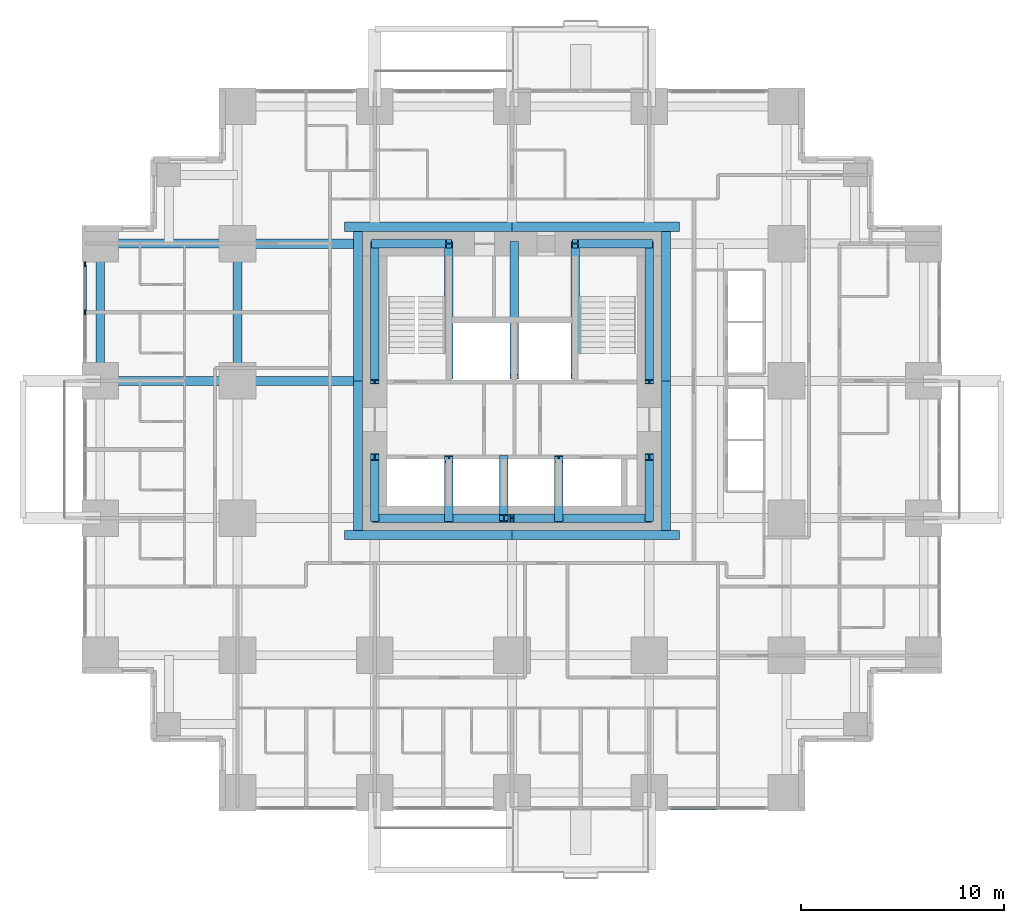
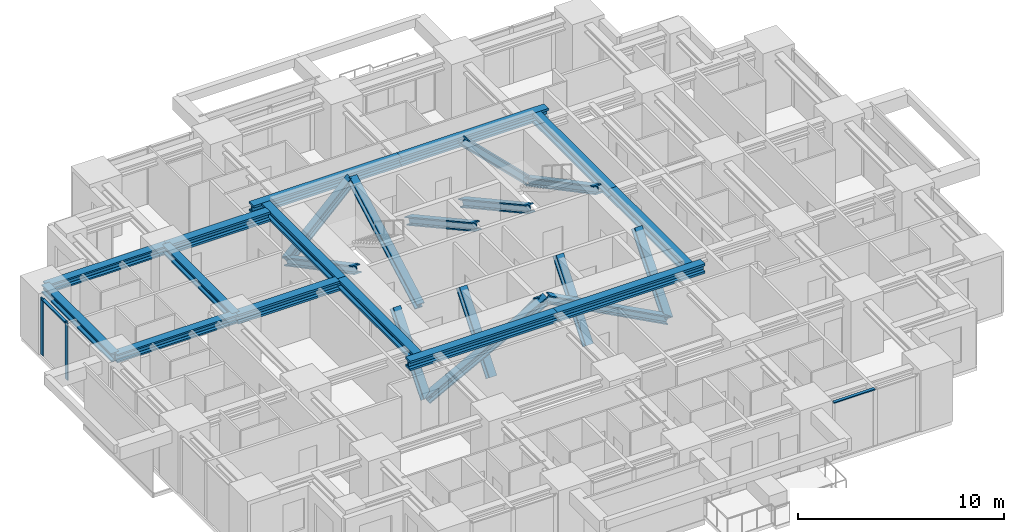
# One storey, part 3 of 13: 18 members, 14 beams, 2 elements without a shape of their own.
"""IFC4 building model written with IfcOpenShell, lengths in metres."""

from ifc_helpers import new_model, si_unit, direction, frame, origin, origin_2d, place, context, subcontext, project, spatial, rectangle, i_section, extrude, material, material_profile, profile_set, type_object, element, aggregate, save


model = new_model("IFC4")

# Units and contexts
model_context = context("Model", 3, precision=1e-05, world=origin(), true_north=direction((0.0, 1.0)))
body_context = subcontext(model_context, "Body", "Model", "MODEL_VIEW")
ifc_project = project(units=[si_unit("LENGTHUNIT", "METRE"), si_unit("AREAUNIT", "SQUARE_METRE"), si_unit("VOLUMEUNIT", "CUBIC_METRE"), si_unit("PLANEANGLEUNIT", "RADIAN"), si_unit("MASSUNIT", "GRAM", prefix="KILO")], contexts=[model_context])

# Site, building, storey
site_placement = place(None, origin())
site = spatial("IfcSite", under=ifc_project, at=site_placement, CompositionType="ELEMENT")
building_placement = place(site_placement, origin())
building = spatial("IfcBuilding", under=site, at=building_placement, Name="Nyansa Garden Tower", CompositionType="ELEMENT")
storey_placement = place(building_placement, frame((0.0, 0.0, 105.300048828125)))
storey = spatial("IfcBuildingStorey", under=building, at=storey_placement, Name="L28", CompositionType="ELEMENT", Elevation=105.300048828125)

# Curtain wall, members
ifc_material_1 = material(Name="Black anodised aluminium, dark tinted double glazing", Category="aluminium")
curtain_wall_type = type_object("IfcCurtainWallType", Name="Inner skin curtain wall ISW-B", PredefinedType="USERDEFINED", material=ifc_material_1)
curtain_wall_1_placement = place(storey_placement, origin())
curtain_wall_1 = element("IfcCurtainWall", 1, at=curtain_wall_1_placement, inside=storey, type_object=curtain_wall_type, Name="Inner skin curtain wall L28 W", ObjectType="UNITISED CURTAIN WALL", PredefinedType="USERDEFINED")
ifc_material_2 = material(Name="Black anodised aluminium", Category="aluminium")
ifc_material_profile_1 = material_profile(ifc_material_2, rectangle(XDim=0.06494140625, YDim=0.22509765625, at=origin_2d()), Name="Mullion 225x65")
ifc_profile_set_1 = profile_set([ifc_material_profile_1], Name="Black anodised aluminium")
member_type_1 = type_object("IfcMemberType", Name="Mullion ISW-B 225x65", PredefinedType="MULLION", material=ifc_profile_set_1)
member_1_placement = place(storey_placement, frame((-0.75, 25.987548828125, 0.0), z_axis=(0.0, 0.0, 1.0), x_axis=(1.0, 0.0, 0.0)))
member_1 = element("IfcMember", 2, at=member_1_placement, type_object=member_type_1, Name="ISW-B mullion 1", PredefinedType="MULLION", context=body_context, shape_type="SweptSolid", body=[
    extrude(rectangle(XDim=0.06494140625, YDim=0.22509765625, at=origin_2d()), origin(), (0.0, 0.0, 1.0), 3.375),
])
member_2_placement = place(storey_placement, frame((-0.75, 23.625, 0.0), z_axis=(0.0, 0.0, 1.0), x_axis=(1.0, 0.0, 0.0)))
member_2 = element("IfcMember", 3, at=member_2_placement, type_object=member_type_1, Name="ISW-B mullion 2", PredefinedType="MULLION", context=body_context, shape_type="SweptSolid", body=[
    extrude(rectangle(XDim=0.06494140625, YDim=0.22509765625, at=origin_2d()), origin(), (0.0, 0.0, 1.0), 3.375),
])

# Members
ifc_material_3 = material(Name="Steel S355", Category="steel")
ifc_material_profile_2 = material_profile(ifc_material_3, i_section(OverallWidth=0.41796875, OverallDepth=0.455078125, WebThickness=0.0419921875, FlangeThickness=0.067626953125, FilletRadius=0.014892578125, at=origin_2d()), Name="HD 400x463")
ifc_profile_set_2 = profile_set([ifc_material_profile_2], Name="Steel S355")
member_type_2 = type_object("IfcMemberType", Name="Perimeter brace HD 400x463", PredefinedType="BRACE", material=ifc_profile_set_2)
for number, where, z_axis, x_axis, name in (
    (4, (13.5, 13.5, 0.0), (0.882360891967, 0.0, 0.470573327259), (0.0, 1.0, 0.0), "Core brace CS1 L28"),
    (5, (27.0, 13.5, 0.0), (-0.882360891967, 0.0, 0.470573327259), (0.0, -1.0, 0.0), "Core brace CS2 L28"),
):
    element("IfcMember", number, at=place(storey_placement, frame(where, z_axis=z_axis, x_axis=x_axis)), inside=storey, type_object=member_type_2, Name=name, PredefinedType="BRACE", context=body_context, shape_type="SweptSolid", body=[
        extrude(i_section(OverallWidth=0.41796875, OverallDepth=0.455078125, WebThickness=0.0419921875, FlangeThickness=0.067626953125, FilletRadius=0.014892578125, at=origin_2d()), origin(), (0.0, 0.0, 1.0), 7.64990234375),
    ])
for number, where, z_axis, x_axis, name in (
    (6, (13.5, 27.0, 0.0), (0.711971340796, 0.0, 0.702208523079), (0.0, 1.0, 0.0), "Core brace CN3 L28"),
    (7, (27.0, 27.0, 0.0), (-0.711971340796, 0.0, 0.702208523079), (0.0, -1.0, 0.0), "Core brace CN4 L28"),
):
    element("IfcMember", number, at=place(storey_placement, frame(where, z_axis=z_axis, x_axis=x_axis)), inside=storey, type_object=member_type_2, Name=name, PredefinedType="BRACE", context=body_context, shape_type="SweptSolid", body=[
        extrude(i_section(OverallWidth=0.41796875, OverallDepth=0.455078125, WebThickness=0.0419921875, FlangeThickness=0.067626953125, FilletRadius=0.014892578125, at=origin_2d()), origin(), (0.0, 0.0, 1.0), 5.12646484375),
    ])
member_3_placement = place(storey_placement, frame((13.5, 13.5, 0.0), z_axis=(0.0, 0.640199773186, 0.768208468069), x_axis=(-1.0, 0.0, 0.0)))
element("IfcMember", 8, at=member_3_placement, inside=storey, type_object=member_type_2, Name="Core brace CW5 L28", PredefinedType="BRACE", context=body_context, shape_type="SweptSolid", body=[
    extrude(i_section(OverallWidth=0.41796875, OverallDepth=0.455078125, WebThickness=0.0419921875, FlangeThickness=0.067626953125, FilletRadius=0.014892578125, at=origin_2d()), origin(), (0.0, 0.0, 1.0), 4.68603515625),
])
member_4_placement = place(storey_placement, frame((13.5, 27.0, 0.0), z_axis=(0.0, -0.883797178129, 0.467870225524), x_axis=(1.0, 0.0, 0.0)))
element("IfcMember", 9, at=member_4_placement, inside=storey, type_object=member_type_2, Name="Core brace CW6 L28", PredefinedType="BRACE", context=body_context, shape_type="SweptSolid", body=[
    extrude(i_section(OverallWidth=0.41796875, OverallDepth=0.455078125, WebThickness=0.0419921875, FlangeThickness=0.067626953125, FilletRadius=0.014892578125, at=origin_2d()), origin(), (0.0, 0.0, 1.0), 7.694091796875),
])
member_5_placement = place(storey_placement, frame((27.0, 13.5, 0.0), z_axis=(0.0, 0.640199773186, 0.768208468069), x_axis=(-1.0, 0.0, 0.0)))
element("IfcMember", 10, at=member_5_placement, inside=storey, type_object=member_type_2, Name="Core brace CE7 L28", PredefinedType="BRACE", context=body_context, shape_type="SweptSolid", body=[
    extrude(i_section(OverallWidth=0.41796875, OverallDepth=0.455078125, WebThickness=0.0419921875, FlangeThickness=0.067626953125, FilletRadius=0.014892578125, at=origin_2d()), origin(), (0.0, 0.0, 1.0), 4.68603515625),
])
member_6_placement = place(storey_placement, frame((27.0, 27.0, 0.0), z_axis=(0.0, -0.883797178129, 0.467870225524), x_axis=(1.0, 0.0, 0.0)))
element("IfcMember", 11, at=member_6_placement, inside=storey, type_object=member_type_2, Name="Core brace CE8 L28", PredefinedType="BRACE", context=body_context, shape_type="SweptSolid", body=[
    extrude(i_section(OverallWidth=0.41796875, OverallDepth=0.455078125, WebThickness=0.0419921875, FlangeThickness=0.067626953125, FilletRadius=0.014892578125, at=origin_2d()), origin(), (0.0, 0.0, 1.0), 7.694091796875),
])
for number, where, z_axis, x_axis, name in (
    (12, (17.14990234375, 20.449951171875, 0.0), (0.0, 0.876366901673, 0.481644115143), (-1.0, 0.0, 0.0), "Core brace CWS9 L28"),
    (13, (23.35009765625, 27.0, 0.0), (0.0, -0.876366901673, 0.481644115143), (1.0, 0.0, 0.0), "Core brace CES10 L28"),
):
    element("IfcMember", number, at=place(storey_placement, frame(where, z_axis=z_axis, x_axis=x_axis)), inside=storey, type_object=member_type_2, Name=name, PredefinedType="BRACE", context=body_context, shape_type="SweptSolid", body=[
        extrude(i_section(OverallWidth=0.41796875, OverallDepth=0.455078125, WebThickness=0.0419921875, FlangeThickness=0.067626953125, FilletRadius=0.014892578125, at=origin_2d()), origin(), (0.0, 0.0, 1.0), 7.47412109375),
    ])
for number, where, z_axis, x_axis, name in (
    (14, (17.14990234375, 13.5, 0.0), (0.0, 0.627332207022, 0.778751758928), (-1.0, 0.0, 0.0), "Core brace CSW11 L28"),
    (15, (19.85009765625, 16.39990234375, 0.0), (0.0, -0.627332207022, 0.778751758928), (1.0, 0.0, 0.0), "Core brace CSW12 L28"),
    (16, (22.550048828125, 13.5, 0.0), (0.0, 0.627332207022, 0.778751758928), (-1.0, 0.0, 0.0), "Core brace CSW13 L28"),
):
    element("IfcMember", number, at=place(storey_placement, frame(where, z_axis=z_axis, x_axis=x_axis)), inside=storey, type_object=member_type_2, Name=name, PredefinedType="BRACE", context=body_context, shape_type="SweptSolid", body=[
        extrude(i_section(OverallWidth=0.41796875, OverallDepth=0.455078125, WebThickness=0.0419921875, FlangeThickness=0.067626953125, FilletRadius=0.014892578125, at=origin_2d()), origin(), (0.0, 0.0, 1.0), 4.62255859375),
    ])
member_7_placement = place(storey_placement, frame((20.35009765625, 27.0, 0.0), z_axis=(0.0, -0.876366901673, 0.481644115143), x_axis=(1.0, 0.0, 0.0)))
element("IfcMember", 17, at=member_7_placement, inside=storey, type_object=member_type_2, Name="Core brace CNW14 L28", PredefinedType="BRACE", context=body_context, shape_type="SweptSolid", body=[
    extrude(i_section(OverallWidth=0.41796875, OverallDepth=0.455078125, WebThickness=0.0419921875, FlangeThickness=0.067626953125, FilletRadius=0.014892578125, at=origin_2d()), origin(), (0.0, 0.0, 1.0), 7.47412109375),
])

# Beams
ifc_material_4 = material(Name="Steel S355", Category="steel")
ifc_material_profile_3 = material_profile(ifc_material_4, i_section(OverallWidth=0.431884765625, OverallDepth=0.498046875, WebThickness=0.0556640625, FlangeThickness=0.0888671875, FilletRadius=0.014892578125, at=origin_2d()), Name="HD 400x744")
ifc_profile_set_3 = profile_set([ifc_material_profile_3], Name="Steel S355")
beam_type_1 = type_object("IfcBeamType", Name="Steel beam SBB1-744 HD 400x744", PredefinedType="BEAM", material=ifc_profile_set_3)
for number, where, z_axis, x_axis, name in (
    (18, (0.0, 20.25, 3.1259765625), (1.0, 0.0, 0.0), (0.0, 1.0, 0.0), "Steel beam 2/G-3/G L29"),
    (19, (0.0, 27.0, 3.1259765625), (1.0, 0.0, 0.0), (0.0, 1.0, 0.0), "Steel beam 2/H-3/H L29"),
    (20, (6.75, 20.25, 3.1259765625), (0.0, 1.0, 0.0), (-1.0, 0.0, 0.0), "Steel beam 3/G-3/H L29"),
):
    element("IfcBeam", number, at=place(storey_placement, frame(where, z_axis=z_axis, x_axis=x_axis)), inside=storey, type_object=beam_type_1, Name=name, PredefinedType="BEAM", context=body_context, shape_type="SweptSolid", body=[
        extrude(i_section(OverallWidth=0.431884765625, OverallDepth=0.498046875, WebThickness=0.0556640625, FlangeThickness=0.0888671875, FilletRadius=0.014892578125, at=origin_2d()), origin(), (0.0, 0.0, 1.0), 6.75),
    ])
ifc_material_5 = material(Name="Steel S355", Category="steel")
ifc_material_profile_4 = material_profile(ifc_material_5, i_section(OverallWidth=0.4541015625, OverallDepth=0.569091796875, WebThickness=0.077880859375, FlangeThickness=0.125, FilletRadius=0.014892578125, at=origin_2d()), Name="HD 400x1086")
ifc_profile_set_4 = profile_set([ifc_material_profile_4], Name="Steel S355")
beam_type_2 = type_object("IfcBeamType", Name="Steel beam SCL-1086 HD 400x1086", PredefinedType="BEAM", material=ifc_profile_set_4)
for number, where, z_axis, x_axis, name in (
    (21, (6.75, 20.25, 3.09033203125), (1.0, 0.0, 0.0), (0.0, 1.0, 0.0), "Steel beam 3/G-12.450/G L29"),
    (22, (6.75, 27.0, 3.09033203125), (1.0, 0.0, 0.0), (0.0, 1.0, 0.0), "Steel beam 3/H-12.450/H L29"),
):
    element("IfcBeam", number, at=place(storey_placement, frame(where, z_axis=z_axis, x_axis=x_axis)), inside=storey, type_object=beam_type_2, Name=name, PredefinedType="BEAM", context=body_context, shape_type="SweptSolid", body=[
        extrude(i_section(OverallWidth=0.4541015625, OverallDepth=0.569091796875, WebThickness=0.077880859375, FlangeThickness=0.125, FilletRadius=0.014892578125, at=origin_2d()), origin(), (0.0, 0.0, 1.0), 5.699951171875),
    ])
for number, where, z_axis, x_axis, name in (
    (23, (12.0, 12.673095703125, 3.09033203125), (1.0, 0.0, 0.0), (0.0, 1.0, 0.0), "Steel core ledger beam S.1 L29"),
    (24, (20.25, 12.673095703125, 3.09033203125), (1.0, 0.0, 0.0), (0.0, 1.0, 0.0), "Steel core ledger beam S.2 L29"),
):
    element("IfcBeam", number, at=place(storey_placement, frame(where, z_axis=z_axis, x_axis=x_axis)), inside=storey, type_object=beam_type_2, Name=name, PredefinedType="BEAM", context=body_context, shape_type="SweptSolid", body=[
        extrude(i_section(OverallWidth=0.4541015625, OverallDepth=0.569091796875, WebThickness=0.077880859375, FlangeThickness=0.125, FilletRadius=0.014892578125, at=origin_2d()), origin(), (0.0, 0.0, 1.0), 8.25),
    ])
for number, where, z_axis, x_axis, name in (
    (25, (27.826904296875, 12.89990234375, 3.09033203125), (0.0, 1.0, 0.0), (-1.0, 0.0, 0.0), "Steel core ledger beam E.1 L29"),
    (26, (27.826904296875, 20.25, 3.09033203125), (0.0, 1.0, 0.0), (-1.0, 0.0, 0.0), "Steel core ledger beam E.2 L29"),
):
    element("IfcBeam", number, at=place(storey_placement, frame(where, z_axis=z_axis, x_axis=x_axis)), inside=storey, type_object=beam_type_2, Name=name, PredefinedType="BEAM", context=body_context, shape_type="SweptSolid", body=[
        extrude(i_section(OverallWidth=0.4541015625, OverallDepth=0.569091796875, WebThickness=0.077880859375, FlangeThickness=0.125, FilletRadius=0.014892578125, at=origin_2d()), origin(), (0.0, 0.0, 1.0), 7.35009765625),
    ])
for number, where, z_axis, x_axis, name in (
    (27, (28.5, 27.826904296875, 3.09033203125), (-1.0, 0.0, 0.0), (0.0, -1.0, 0.0), "Steel core ledger beam N.1 L29"),
    (28, (20.25, 27.826904296875, 3.09033203125), (-1.0, 0.0, 0.0), (0.0, -1.0, 0.0), "Steel core ledger beam N.2 L29"),
):
    element("IfcBeam", number, at=place(storey_placement, frame(where, z_axis=z_axis, x_axis=x_axis)), inside=storey, type_object=beam_type_2, Name=name, PredefinedType="BEAM", context=body_context, shape_type="SweptSolid", body=[
        extrude(i_section(OverallWidth=0.4541015625, OverallDepth=0.569091796875, WebThickness=0.077880859375, FlangeThickness=0.125, FilletRadius=0.014892578125, at=origin_2d()), origin(), (0.0, 0.0, 1.0), 8.25),
    ])
for number, where, z_axis, x_axis, name in (
    (29, (12.673095703125, 27.60009765625, 3.09033203125), (0.0, -1.0, 0.0), (1.0, 0.0, 0.0), "Steel core ledger beam W.1 L29"),
    (30, (12.673095703125, 20.25, 3.09033203125), (0.0, -1.0, 0.0), (1.0, 0.0, 0.0), "Steel core ledger beam W.2 L29"),
):
    element("IfcBeam", number, at=place(storey_placement, frame(where, z_axis=z_axis, x_axis=x_axis)), inside=storey, type_object=beam_type_2, Name=name, PredefinedType="BEAM", context=body_context, shape_type="SweptSolid", body=[
        extrude(i_section(OverallWidth=0.4541015625, OverallDepth=0.569091796875, WebThickness=0.077880859375, FlangeThickness=0.125, FilletRadius=0.014892578125, at=origin_2d()), origin(), (0.0, 0.0, 1.0), 7.35009765625),
    ])
ifc_material_6 = material(Name="Steel S355", Category="steel")
ifc_material_profile_5 = material_profile(ifc_material_6, i_section(OverallWidth=0.431884765625, OverallDepth=0.498046875, WebThickness=0.0556640625, FlangeThickness=0.0888671875, FilletRadius=0.014892578125, at=origin_2d()), Name="HD 400x744")
ifc_profile_set_5 = profile_set([ifc_material_profile_5], Name="Steel S355")
beam_type_3 = type_object("IfcBeamType", Name="Steel beam SEBB-744 HD 400x744", PredefinedType="BEAM", material=ifc_profile_set_5)
beam_placement = place(storey_placement, frame((0.0, 20.25, 3.1259765625), z_axis=(0.0, 1.0, 0.0), x_axis=(-1.0, 0.0, 0.0)))
element("IfcBeam", 31, at=beam_placement, inside=storey, type_object=beam_type_3, Name="Steel edge beam 2/G-2/H L29", PredefinedType="BEAM", context=body_context, shape_type="SweptSolid", body=[
    extrude(i_section(OverallWidth=0.431884765625, OverallDepth=0.498046875, WebThickness=0.0556640625, FlangeThickness=0.0888671875, FilletRadius=0.014892578125, at=origin_2d()), origin(), (0.0, 0.0, 1.0), 6.75),
])

# Member
ifc_material_7 = material(Name="Black anodised aluminium", Category="aluminium")
ifc_material_profile_6 = material_profile(ifc_material_7, rectangle(XDim=0.1650390625, YDim=0.06494140625, at=origin_2d()), Name="Transom 165x65")
ifc_profile_set_6 = profile_set([ifc_material_profile_6], Name="Black anodised aluminium")
member_type_3 = type_object("IfcMemberType", Name="Transom ISW-B 165x65", PredefinedType="USERDEFINED", material=ifc_profile_set_6)
member_8_placement = place(storey_placement, frame((-0.75, 25.955078125, 3.342529296875), z_axis=(0.0, -1.0, 0.0), x_axis=(1.0, 0.0, 0.0)))
member_8 = element("IfcMember", 32, at=member_8_placement, type_object=member_type_3, Name="ISW-B transom 1", ObjectType="TRANSOM", PredefinedType="USERDEFINED", context=body_context, shape_type="SweptSolid", body=[
    extrude(rectangle(XDim=0.1650390625, YDim=0.06494140625, at=origin_2d()), origin(), (0.0, 0.0, 1.0), 2.297607421875),
])

aggregate(curtain_wall_1, [member_1, member_2, member_8])

# Curtain wall, member
curtain_wall_2_placement = place(storey_placement, origin())
curtain_wall_2 = element("IfcCurtainWall", 33, at=curtain_wall_2_placement, inside=storey, type_object=curtain_wall_type, Name="Inner skin curtain wall L28 S", ObjectType="UNITISED CURTAIN WALL", PredefinedType="USERDEFINED")
member_9_placement = place(storey_placement, frame((28.044921875, -0.75, 3.342529296875), z_axis=(1.0, 0.0, 0.0), x_axis=(0.0, 1.0, 0.0)))
member_9 = element("IfcMember", 34, at=member_9_placement, type_object=member_type_3, Name="ISW-B transom 1", ObjectType="TRANSOM", PredefinedType="USERDEFINED", context=body_context, shape_type="SweptSolid", body=[
    extrude(rectangle(XDim=0.1650390625, YDim=0.06494140625, at=origin_2d()), origin(), (0.0, 0.0, 1.0), 2.297607421875),
])
aggregate(curtain_wall_2, [member_9])

save(model, "model.ifc")
